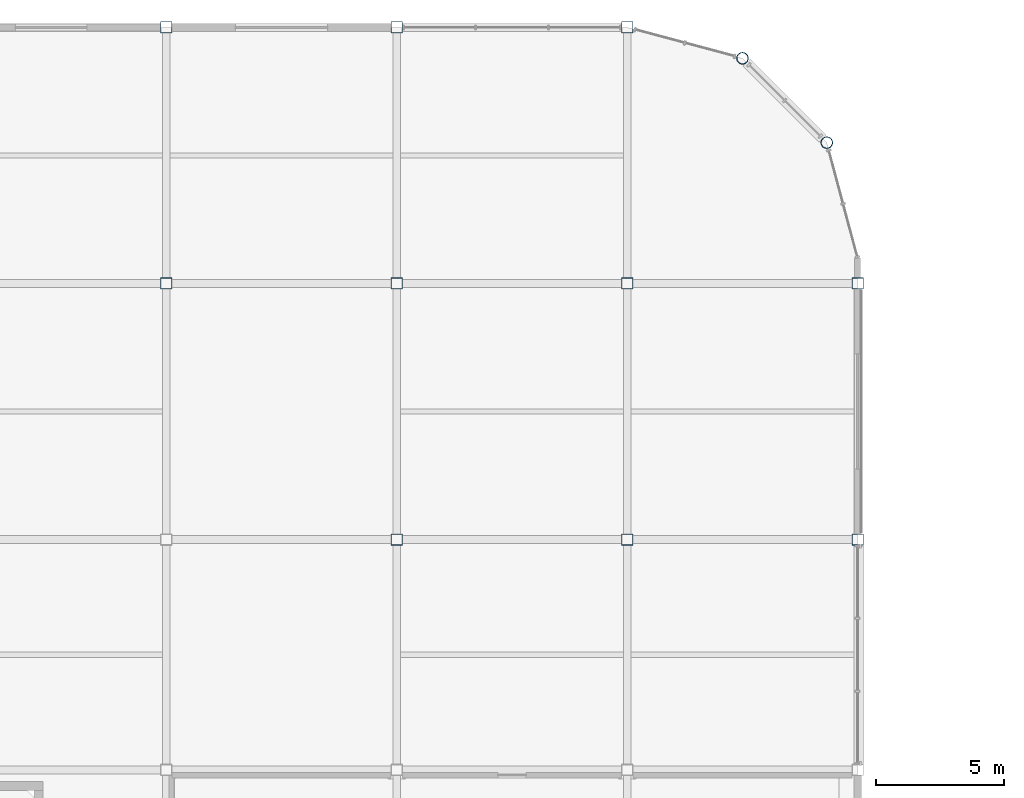
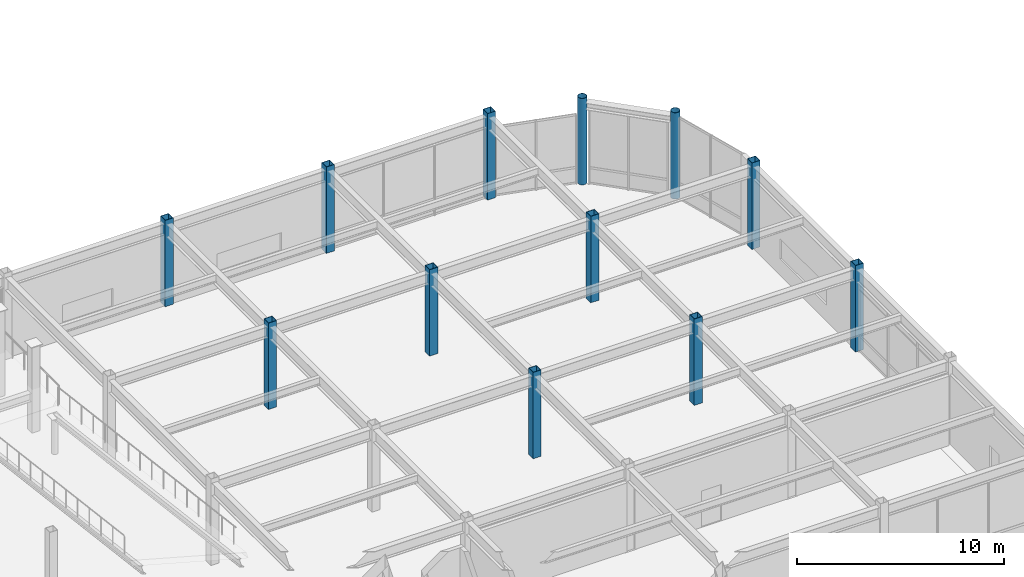
# One storey, part 21 of 123: 12 columns.
"""IFC4 building model written with IfcOpenShell, lengths in metres."""

import ifcopenshell
import ifcopenshell.guid

model = None  # the IFC model being written
_history = None  # IfcOwnerHistory: only IFC2X3 demands one
_inside = {}  # id of a spatial element -> (the spatial element, [elements in it])
_under = {}  # id of a project, library or spatial element -> (it, [spatial elements below it])
_declared = {}  # id of a project -> (the project, [libraries it declares])
_typed = {}  # id of a type object -> (the type object, [elements of that type])
_made_of = {}  # id of a material, layer set ... -> (it, [elements and type objects made of it])


def new_model(schema):
    """Start an empty IFC model of exactly this schema.

    Asked for "IFC4X3", IfcOpenShell would pick the latest addendum, in which some entities
    have other attributes; the version numbers below select the first issue.
    IFC2X3 requires an IfcOwnerHistory on every rooted entity: one is made here for all.
    """
    global model, _history
    if schema == "IFC4X3":
        model = ifcopenshell.file(schema_version=(4, 3, 0, 0))
    else:
        model = ifcopenshell.file(schema=schema)
    _inside.clear()
    _under.clear()
    _declared.clear()
    _typed.clear()
    _made_of.clear()
    _history = None
    if model.schema == "IFC2X3":
        org = make("IfcOrganization", Name="unknown")
        user = make(
            "IfcPersonAndOrganization",
            ThePerson=make("IfcPerson", FamilyName="unknown"),
            TheOrganization=org,
        )
        app = make(
            "IfcApplication",
            ApplicationDeveloper=org,
            Version="unknown",
            ApplicationFullName="unknown",
            ApplicationIdentifier="unknown",
        )
        _history = make(
            "IfcOwnerHistory",
            OwningUser=user,
            OwningApplication=app,
            ChangeAction="ADDED",
            CreationDate=0,
        )
    return model


def make(cls, **values):
    """One entity of the class cls with the attributes given. An attribute that is None is left unset."""
    return model.create_entity(
        cls, **{name: value for name, value in values.items() if value is not None}
    )


def rooted(cls, **values):
    """An entity with a GlobalId (a new one), such as an element, a storey or a relation."""
    return make(cls, GlobalId=ifcopenshell.guid.new(), OwnerHistory=_history, **values)


def si_unit(unit_type, name, prefix=None):
    """IfcSIUnit, for example si_unit("LENGTHUNIT", "METRE", prefix="MILLI")."""
    return make("IfcSIUnit", UnitType=unit_type, Prefix=prefix, Name=name)


def assignment(units):
    """IfcUnitAssignment: the units of a project."""
    return None if units is None else make("IfcUnitAssignment", Units=units)


def point(xyz):
    """IfcCartesianPoint."""
    return None if xyz is None else make("IfcCartesianPoint", Coordinates=xyz)


def direction(xyz):
    """IfcDirection."""
    return None if xyz is None else make("IfcDirection", DirectionRatios=xyz)


def frame(location, z_axis=None, x_axis=None):
    """IfcAxis2Placement3D, a coordinate frame: its origin and axes. An axis left out is left unset."""
    return make(
        "IfcAxis2Placement3D",
        Location=point(location),
        Axis=direction(z_axis),
        RefDirection=direction(x_axis),
    )


def frame_2d(location, x_axis=None):
    """IfcAxis2Placement2D, a coordinate frame in the plane: its origin and x axis."""
    return make(
        "IfcAxis2Placement2D", Location=point(location), RefDirection=direction(x_axis)
    )


def origin():
    """The frame at (0, 0, 0) with its axes left unset."""
    return frame((0.0, 0.0, 0.0))


def origin_2d():
    """The frame at (0, 0) in the plane with its x axis left unset."""
    return frame_2d((0.0, 0.0))


def place(relative_to, where):
    """IfcLocalPlacement: puts the frame where relative to a parent placement (None: the world)."""
    return make(
        "IfcLocalPlacement", PlacementRelTo=relative_to, RelativePlacement=where
    )


def context(
    kind, dimensions, precision=None, world=None, true_north=None, identifier=None
):
    """IfcGeometricRepresentationContext, for example the 3D "Model" context."""
    return make(
        "IfcGeometricRepresentationContext",
        ContextIdentifier=identifier,
        ContextType=kind,
        CoordinateSpaceDimension=dimensions,
        Precision=precision,
        WorldCoordinateSystem=world,
        TrueNorth=true_north,
    )


def subcontext(parent, identifier, kind, view, scale=None):
    """IfcGeometricRepresentationSubContext, for example "Body" below "Model"."""
    return make(
        "IfcGeometricRepresentationSubContext",
        ContextIdentifier=identifier,
        ContextType=kind,
        ParentContext=parent,
        TargetScale=scale,
        TargetView=view,
    )


def project(units=None, contexts=None):
    """IfcProject with its units and contexts."""
    return rooted(
        "IfcProject",
        Name="project",
        RepresentationContexts=contexts,
        UnitsInContext=assignment(units),
    )


def spatial(cls, under=None, at=None, **own):
    """A site, building, storey or space (cls), placed at a placement, below another one or the project."""
    s = rooted(cls, ObjectPlacement=at, **own)
    if under is not None:
        _under.setdefault(under.id(), (under, []))[1].append(s)
    return s


def profile(cls, at=None, kind="AREA", **sizes):
    """A parametric profile (cls). Its sizes go by their IFC names, for example OverallWidth=200.0."""
    return make(cls, ProfileType=kind, Position=at, **sizes)


def hollow_rectangle(**sizes):
    """IfcRectangleHollowProfileDef."""
    return profile("IfcRectangleHollowProfileDef", **sizes)


def hollow_circle(**sizes):
    """IfcCircleHollowProfileDef."""
    return profile("IfcCircleHollowProfileDef", **sizes)


def extrude(swept, where, along, depth):
    """IfcExtrudedAreaSolid: the profile swept, set in the frame where, extruded along a direction by depth."""
    return make(
        "IfcExtrudedAreaSolid",
        SweptArea=swept,
        Position=where,
        ExtrudedDirection=direction(along),
        Depth=depth,
    )


def shape(context_of_items, identifier, shape_type, items):
    """IfcShapeRepresentation: the items that make up one representation, for example the "Body"."""
    return make(
        "IfcShapeRepresentation",
        ContextOfItems=context_of_items,
        RepresentationIdentifier=identifier,
        RepresentationType=shape_type,
        Items=items,
    )


def material(Name=None, Category=None):
    """IfcMaterial."""
    return make("IfcMaterial", Name=Name, Category=Category)


def material_profile(
    of_material, cross_section, Name=None, Category=None, Priority=None
):
    """IfcMaterialProfile: a cross section and its material."""
    return make(
        "IfcMaterialProfile",
        Name=Name,
        Material=of_material,
        Profile=cross_section,
        Priority=Priority,
        Category=Category,
    )


def profile_set(profiles, Name=None, composite=None):
    """IfcMaterialProfileSet."""
    return make(
        "IfcMaterialProfileSet",
        Name=Name,
        MaterialProfiles=profiles,
        CompositeProfile=composite,
    )


def made_of(thing, what):
    """Note that an element or type object is made of a material, layer set ...; save() writes the relation."""
    if what is not None:
        _made_of.setdefault(what.id(), (what, []))[1].append(thing)
    return thing


def type_object(cls, material=None, **own):
    """A type object (cls), such as IfcWallType, which elements share."""
    return made_of(rooted(cls, **own), material)


def element(
    cls,
    number,
    at=None,
    inside=None,
    cuts=None,
    type_object=None,
    material=None,
    context=None,
    identifier="Body",
    shape_type=None,
    held_by="IfcProductDefinitionShape",
    body=None,
    shapes=None,
    **own,
):
    """One element of the class cls, such as IfcWall. Its Tag is "e" and its number.

    at: its placement. inside: the storey or other place that contains it. cuts: it is an
    opening in that element (IfcRelVoidsElement). A single representation is given by context,
    identifier, shape_type and body (its items); several are given by shapes. held_by: the class
    of the entity that holds the representations. save() writes the other relations.
    """
    e = rooted(cls, Tag="e%d" % number, ObjectPlacement=at, **own)
    if body is not None:
        shapes = [shape(context, identifier, shape_type, body)]
    if shapes is not None:
        e.Representation = make(held_by, Representations=shapes)
    if inside is not None:
        _inside.setdefault(inside.id(), (inside, []))[1].append(e)
    if cuts is not None:
        rooted(
            "IfcRelVoidsElement", RelatingBuildingElement=cuts, RelatedOpeningElement=e
        )
    if type_object is not None:
        _typed.setdefault(type_object.id(), (type_object, []))[1].append(e)
    return made_of(e, material)


def aggregate(whole, parts):
    """IfcRelAggregates: a whole, such as a stair, and the parts it consists of."""
    return rooted("IfcRelAggregates", RelatingObject=whole, RelatedObjects=parts)


def save(model, path):
    """Write the relations noted so far, then the file.

    IfcRelAggregates (storeys below a building ...), IfcRelContainedInSpatialStructure (elements
    in a storey), IfcRelDefinesByType, IfcRelAssociatesMaterial and IfcRelDeclares: one each for
    every whole, place, type object, material and project.
    """
    for whole, parts in _under.values():
        aggregate(whole, parts)
    for where, things in _inside.values():
        rooted(
            "IfcRelContainedInSpatialStructure",
            RelatedElements=things,
            RelatingStructure=where,
        )
    for kind, things in _typed.values():
        rooted("IfcRelDefinesByType", RelatedObjects=things, RelatingType=kind)
    for what, things in _made_of.values():
        rooted("IfcRelAssociatesMaterial", RelatedObjects=things, RelatingMaterial=what)
    for by, libraries in _declared.values():
        rooted("IfcRelDeclares", RelatingContext=by, RelatedDefinitions=libraries)
    model.write(path)


model = new_model("IFC4")

# Units and contexts
model_context = context("Model", 3, precision=1e-05, world=origin(), true_north=direction((0.0, 1.0)))
body_context = subcontext(model_context, "Body", "Model", "MODEL_VIEW")
ifc_project = project(units=[si_unit("LENGTHUNIT", "METRE"), si_unit("AREAUNIT", "SQUARE_METRE"), si_unit("VOLUMEUNIT", "CUBIC_METRE"), si_unit("PLANEANGLEUNIT", "RADIAN"), si_unit("MASSUNIT", "GRAM", prefix="KILO")], contexts=[model_context])

# Site, building, storey
site_placement = place(None, origin())
site = spatial("IfcSite", under=ifc_project, at=site_placement, CompositionType="ELEMENT")
building_placement = place(site_placement, origin())
building = spatial("IfcBuilding", under=site, at=building_placement, Name="Suzunagisa Mobility Hub", CompositionType="ELEMENT")
storey_placement = place(building_placement, origin())
storey = spatial("IfcBuildingStorey", under=building, at=storey_placement, Name="L00", CompositionType="ELEMENT", Elevation=0.0)

# Columns
ifc_material = material(Name="Steel SN490B", Category="steel")
ifc_material_profile_1 = material_profile(ifc_material, hollow_circle(Radius=0.228515625, WallThickness=0.01611328125, at=origin_2d()), Name="CHS-457.2x16.0")
ifc_profile_set_1 = profile_set([ifc_material_profile_1], Name="Steel SN490B")
column_type_1 = type_object("IfcColumnType", Name="Steel Column CL-08 CHS-457.2x16.0", PredefinedType="COLUMN", material=ifc_profile_set_1)
for number, where, z_axis, x_axis, name in (
    (1, (121.5, 116.794189453125, 0.0), (0.0, 0.0, 1.0), (1.0, 0.0, 0.0), "L00 Column 223"),
    (2, (124.794189453125, 113.5, 0.0), (0.0, 0.0, 1.0), (1.0, 0.0, 0.0), "L00 Column 227"),
):
    element("IfcColumn", number, at=place(storey_placement, frame(where, z_axis=z_axis, x_axis=x_axis)), inside=storey, type_object=column_type_1, Name=name, PredefinedType="COLUMN", context=body_context, shape_type="SweptSolid", body=[
        extrude(hollow_circle(Radius=0.228515625, WallThickness=0.01611328125, at=origin_2d()), origin(), (0.0, 0.0, 1.0), 5.10009765625),
    ])
ifc_material_profile_2 = material_profile(ifc_material, hollow_rectangle(XDim=0.449951171875, YDim=0.449951171875, WallThickness=0.02197265625, at=origin_2d()), Name="BCR-450x450x22")
ifc_profile_set_2 = profile_set([ifc_material_profile_2], Name="Steel SN490B")
column_type_2 = type_object("IfcColumnType", Name="Steel Column CL-17 BCR-450x450x22", PredefinedType="COLUMN", material=ifc_profile_set_2)
for number, where, z_axis, x_axis, name in (
    (3, (99.0, 108.0, 0.0), (0.0, 0.0, 1.0), (1.0, 0.0, 0.0), "L00 Column 198"),
    (4, (99.0, 118.0, 0.0), (0.0, 0.0, 1.0), (1.0, 0.0, 0.0), "L00 Column 199"),
    (5, (108.0, 98.0, 0.0), (0.0, 0.0, 1.0), (1.0, 0.0, 0.0), "L00 Column 206"),
    (6, (108.0, 108.0, 0.0), (0.0, 0.0, 1.0), (1.0, 0.0, 0.0), "L00 Column 207"),
    (7, (108.0, 118.0, 0.0), (0.0, 0.0, 1.0), (1.0, 0.0, 0.0), "L00 Column 208"),
    (8, (117.0, 98.0, 0.0), (0.0, 0.0, 1.0), (1.0, 0.0, 0.0), "L00 Column 217"),
    (9, (117.0, 108.0, 0.0), (0.0, 0.0, 1.0), (1.0, 0.0, 0.0), "L00 Column 218"),
    (10, (117.0, 118.0, 0.0), (0.0, 0.0, 1.0), (1.0, 0.0, 0.0), "L00 Column 219"),
    (11, (126.0, 98.0, 0.0), (0.0, 0.0, 1.0), (1.0, 0.0, 0.0), "L00 Column 235"),
    (12, (126.0, 108.0, 0.0), (0.0, 0.0, 1.0), (1.0, 0.0, 0.0), "L00 Column 236"),
):
    element("IfcColumn", number, at=place(storey_placement, frame(where, z_axis=z_axis, x_axis=x_axis)), inside=storey, type_object=column_type_2, Name=name, PredefinedType="COLUMN", context=body_context, shape_type="SweptSolid", body=[
        extrude(hollow_rectangle(XDim=0.449951171875, YDim=0.449951171875, WallThickness=0.02197265625, at=origin_2d()), origin(), (0.0, 0.0, 1.0), 5.10009765625),
    ])

save(model, "model.ifc")
